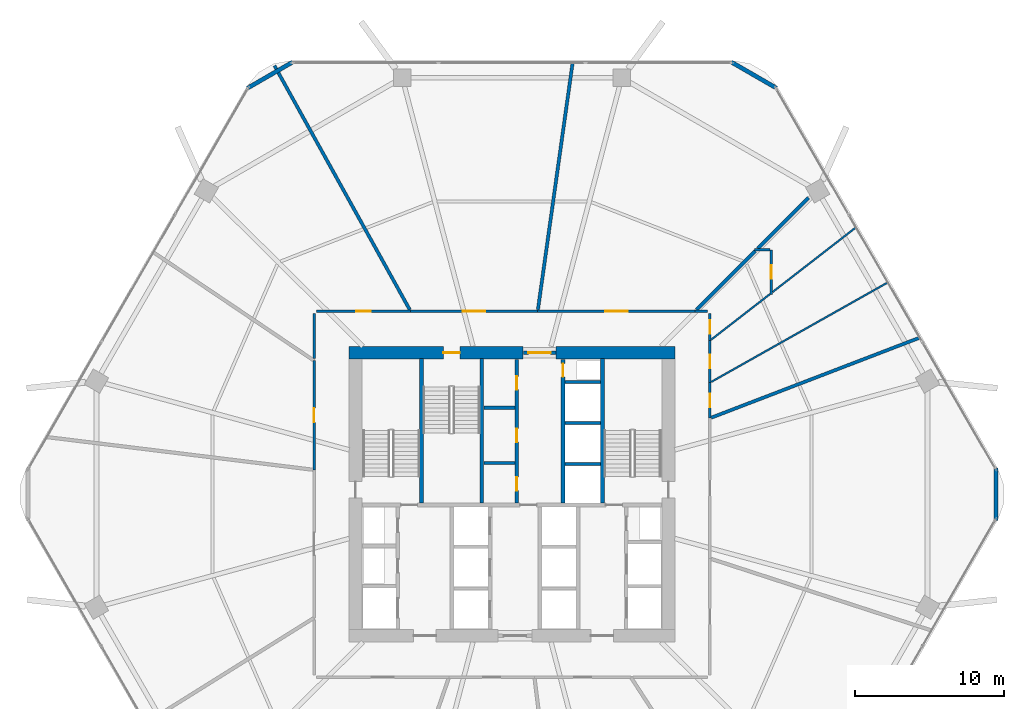
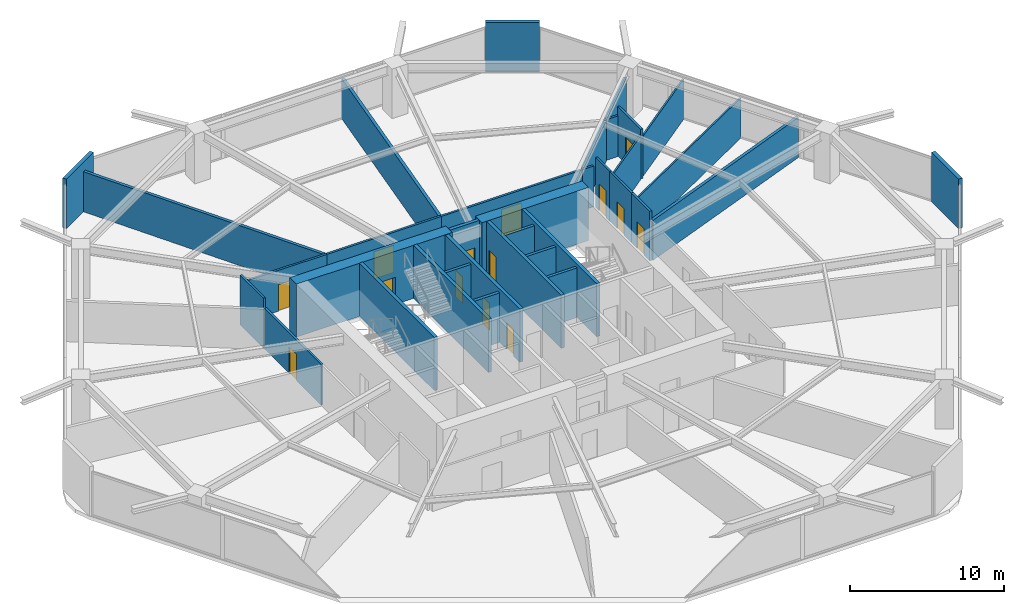
# One storey, part 23 of 25: 35 walls, 14 doors, 14 openings.
"""IFC4 building model written with IfcOpenShell, lengths in metres."""

from ifc_helpers import new_model, si_unit, direction, frame, frame_2d, origin, place, context, subcontext, project, spatial, rectangle, extrude, material, layer, layer_set, type_object, element, fill, save


model = new_model("IFC4")

# Units and contexts
model_context = context("Model", 3, precision=1e-05, world=origin(), true_north=direction((0.0, 1.0)))
body_context = subcontext(model_context, "Body", "Model", "MODEL_VIEW")
ifc_project = project(units=[si_unit("LENGTHUNIT", "METRE"), si_unit("AREAUNIT", "SQUARE_METRE"), si_unit("VOLUMEUNIT", "CUBIC_METRE"), si_unit("PLANEANGLEUNIT", "RADIAN"), si_unit("MASSUNIT", "GRAM", prefix="KILO")], contexts=[model_context])

# Site, building, storey
site_placement = place(None, origin())
site = spatial("IfcSite", under=ifc_project, at=site_placement, CompositionType="ELEMENT")
building_placement = place(site_placement, origin())
building = spatial("IfcBuilding", under=site, at=building_placement, Name="Zuhravey Tower", CompositionType="ELEMENT")
storey_placement = place(building_placement, frame((0.0, 0.0, 20.39990234375)))
storey = spatial("IfcBuildingStorey", under=building, at=storey_placement, Name="L05", CompositionType="ELEMENT", Elevation=20.39990234375)

# Wall
ifc_material_1 = material(Name="Concrete C60/75", Category="concrete")
ifc_layer_1 = layer(ifc_material_1, 0.85009765625)
ifc_layer_set_1 = layer_set([ifc_layer_1], Name="Concrete C60/75")
wall_type_1 = type_object("IfcWallType", Name="Core Shear Wall 850", PredefinedType="SHEAR", material=ifc_layer_set_1)
wall_1_placement = place(storey_placement, frame((46.925048828125, 41.5, 0.0), z_axis=(0.0, 0.0, 1.0), x_axis=(-1.0, 0.0, 0.0)))
element("IfcWall", 1, at=wall_1_placement, inside=storey, type_object=wall_type_1, Name="L05 North-East Core Shear Wall CW85", PredefinedType="SHEAR", context=body_context, shape_type="SweptSolid", body=[
    extrude(rectangle(XDim=7.97509765625, YDim=0.85009765625, at=frame_2d((3.987548828125, 0.0))), origin(), (0.0, 0.0, 1.0), 4.2001953125),
])

# Wall, opening, door
wall_2_placement = place(storey_placement, frame((36.75, 41.5, 0.0), z_axis=(0.0, 0.0, 1.0), x_axis=(-1.0, 0.0, 0.0)))
wall_2 = element("IfcWall", 2, at=wall_2_placement, inside=storey, type_object=wall_type_1, Name="L05 North-West Core Shear Wall CW85", PredefinedType="SHEAR", context=body_context, shape_type="SweptSolid", body=[
    extrude(rectangle(XDim=11.675048828125, YDim=0.85009765625, at=frame_2d((5.83740234375, 0.0))), origin(), (0.0, 0.0, 1.0), 4.2001953125),
])
opening_1_placement = place(wall_2_placement, frame((4.25, 0.0, 0.0)))
opening_1 = element("IfcOpeningElement", 3, at=opening_1_placement, cuts=wall_2, Name="Opening STD1", PredefinedType="OPENING", context=body_context, shape_type="SweptSolid", body=[
    extrude(rectangle(XDim=1.10009765625, YDim=2.14990234375, at=frame_2d((0.550048828125, 1.074951171875))), frame((0.0, 0.43701171875, 0.0), z_axis=(0.0, -1.0, 0.0), x_axis=(1.0, 0.0, 0.0)), (0.0, 0.0, 1.0), 0.8740234375),
])
ifc_material_2 = material(Name="Galvanised fire-rated steel leaf", Category="steel")
door_type_1 = type_object("IfcDoorType", Name="Protected Stair Fire Door 1100x2150", OperationType="NOTDEFINED", PredefinedType="USERDEFINED", material=ifc_material_2)
door_1_placement = place(opening_1_placement, origin())
door_1 = element("IfcDoor", 4, at=door_1_placement, inside=storey, type_object=door_type_1, Name="L05 Stair ST3 Door", ObjectType="EXITDOOR", OperationType="SINGLE_SWING_RIGHT", OverallHeight=2.14990234375, OverallWidth=1.10009765625, PredefinedType="USERDEFINED", context=body_context, shape_type="SweptSolid", body=[
    extrude(rectangle(XDim=1.10009765625, YDim=2.14990234375, at=frame_2d((0.550048828125, 1.074951171875))), frame((0.0, 0.02490234375, 0.0), z_axis=(0.0, -1.0, 0.0), x_axis=(1.0, 0.0, 0.0)), (0.0, 0.0, 1.0), 0.050048828125),
])
fill(opening_1, door_1)

ifc_material_3 = material(Name="Gypsum fire-rated stud partition")
ifc_layer_2 = layer(ifc_material_3, 0.159912109375)
ifc_layer_set_2 = layer_set([ifc_layer_2], Name="Gypsum fire-rated stud partition")
wall_type_2 = type_object("IfcWallType", Name="Corridor Fire Partition 160", PredefinedType="PARTITIONING", material=ifc_layer_set_2)
wall_3_placement = place(storey_placement, frame((49.284912109375, 37.099609375, 0.0), z_axis=(0.0, 0.0, 1.0), x_axis=(0.0, 1.0, 0.0)))
wall_3 = element("IfcWall", 5, at=wall_3_placement, inside=storey, type_object=wall_type_2, Name="L05 IW16 Partition 019", PredefinedType="PARTITIONING", context=body_context, shape_type="SweptSolid", body=[
    extrude(rectangle(XDim=2.385986328125, YDim=0.159912109375, at=frame_2d((1.19287109375, 0.0))), origin(), (0.0, 0.0, 1.0), 3.920166015625),
])
opening_2_placement = place(wall_3_placement, frame((0.742919921875, 0.0, 0.0)))
opening_2 = element("IfcOpeningElement", 6, at=opening_2_placement, cuts=wall_3, Name="Opening RSD1", PredefinedType="OPENING", context=body_context, shape_type="SweptSolid", body=[
    extrude(rectangle(XDim=0.89990234375, YDim=2.10009765625, at=frame_2d((0.449951171875, 1.050048828125))), frame((0.0, 0.092041015625, 0.0), z_axis=(0.0, -1.0, 0.0), x_axis=(1.0, 0.0, 0.0)), (0.0, 0.0, 1.0), 0.183837890625),
])
ifc_material_4 = material(Name="Galvanised fire-rated steel access leaf", Category="steel")
door_type_2 = type_object("IfcDoorType", Name="Riser & Shaft Access Fire Door 900x2100", OperationType="NOTDEFINED", PredefinedType="DOOR", material=ifc_material_4)
door_2_placement = place(opening_2_placement, frame((0.89990234375, 0.0, 0.0), z_axis=(0.0, 0.0, 1.0), x_axis=(-1.0, 0.0, 0.0)))
door_2 = element("IfcDoor", 7, at=door_2_placement, inside=storey, type_object=door_type_2, Name="L05 Door 019.1", OperationType="SINGLE_SWING_LEFT", OverallHeight=2.10009765625, OverallWidth=0.89990234375, PredefinedType="DOOR", context=body_context, shape_type="SweptSolid", body=[
    extrude(rectangle(XDim=0.89990234375, YDim=2.10009765625, at=frame_2d((0.449951171875, 1.050048828125))), frame((0.0, 0.02490234375, 0.0), z_axis=(0.0, -1.0, 0.0), x_axis=(1.0, 0.0, 0.0)), (0.0, 0.0, 1.0), 0.050048828125),
])
fill(opening_2, door_2)

wall_4_placement = place(storey_placement, frame((49.284912109375, 39.485595703125, 0.0), z_axis=(0.0, 0.0, 1.0), x_axis=(0.0, 1.0, 0.0)))
wall_4 = element("IfcWall", 8, at=wall_4_placement, inside=storey, type_object=wall_type_2, Name="L05 IW16 Partition 020", PredefinedType="PARTITIONING", context=body_context, shape_type="SweptSolid", body=[
    extrude(rectangle(XDim=2.8193359375, YDim=0.159912109375, at=frame_2d((1.40966796875, 0.0))), origin(), (0.0, 0.0, 1.0), 3.920166015625),
])
opening_3_placement = place(wall_4_placement, frame((0.959716796875, 0.0, 0.0)))
opening_3 = element("IfcOpeningElement", 9, at=opening_3_placement, cuts=wall_4, Name="Opening RSD1", PredefinedType="OPENING", context=body_context, shape_type="SweptSolid", body=[
    extrude(rectangle(XDim=0.89990234375, YDim=2.10009765625, at=frame_2d((0.449951171875, 1.050048828125))), frame((0.0, 0.092041015625, 0.0), z_axis=(0.0, -1.0, 0.0), x_axis=(1.0, 0.0, 0.0)), (0.0, 0.0, 1.0), 0.183837890625),
])
door_3_placement = place(opening_3_placement, frame((0.89990234375, 0.0, 0.0), z_axis=(0.0, 0.0, 1.0), x_axis=(-1.0, 0.0, 0.0)))
door_3 = element("IfcDoor", 10, at=door_3_placement, inside=storey, type_object=door_type_2, Name="L05 Door 020.1", OperationType="SINGLE_SWING_RIGHT", OverallHeight=2.10009765625, OverallWidth=0.89990234375, PredefinedType="DOOR", context=body_context, shape_type="SweptSolid", body=[
    extrude(rectangle(XDim=0.89990234375, YDim=2.10009765625, at=frame_2d((0.449951171875, 1.050048828125))), frame((0.0, 0.02490234375, 0.0), z_axis=(0.0, -1.0, 0.0), x_axis=(1.0, 0.0, 0.0)), (0.0, 0.0, 1.0), 0.050048828125),
])
fill(opening_3, door_3)

wall_5_placement = place(storey_placement, frame((53.405029296875, 48.405029296875, 0.0), z_axis=(0.0, 0.0, 1.0), x_axis=(0.0, -1.0, 0.0)))
wall_5 = element("IfcWall", 11, at=wall_5_placement, inside=storey, type_object=wall_type_2, Name="L05 IW16 Partition 021", PredefinedType="PARTITIONING", context=body_context, shape_type="SweptSolid", body=[
    extrude(rectangle(XDim=3.005615234375, YDim=0.159912109375, at=frame_2d((1.5029296875, 0.0))), origin(), (0.0, 0.0, 1.0), 3.920166015625),
])
opening_4_placement = place(wall_5_placement, frame((1.052734375, 0.0, 0.0)))
opening_4 = element("IfcOpeningElement", 12, at=opening_4_placement, cuts=wall_5, Name="Opening RSD1", PredefinedType="OPENING", context=body_context, shape_type="SweptSolid", body=[
    extrude(rectangle(XDim=0.89990234375, YDim=2.10009765625, at=frame_2d((0.449951171875, 1.050048828125))), frame((0.0, 0.092041015625, 0.0), z_axis=(0.0, -1.0, 0.0), x_axis=(1.0, 0.0, 0.0)), (0.0, 0.0, 1.0), 0.183837890625),
])
door_4_placement = place(opening_4_placement, origin())
door_4 = element("IfcDoor", 13, at=door_4_placement, inside=storey, type_object=door_type_2, Name="L05 Door 021.1", OperationType="SINGLE_SWING_LEFT", OverallHeight=2.10009765625, OverallWidth=0.89990234375, PredefinedType="DOOR", context=body_context, shape_type="SweptSolid", body=[
    extrude(rectangle(XDim=0.89990234375, YDim=2.10009765625, at=frame_2d((0.449951171875, 1.050048828125))), frame((0.0, 0.02490234375, 0.0), z_axis=(0.0, -1.0, 0.0), x_axis=(1.0, 0.0, 0.0)), (0.0, 0.0, 1.0), 0.050048828125),
])
fill(opening_4, door_4)

wall_6_placement = place(storey_placement, frame((49.284912109375, 42.304931640625, 0.0), z_axis=(0.0, 0.0, 1.0), x_axis=(0.0, 1.0, 0.0)))
wall_6 = element("IfcWall", 14, at=wall_6_placement, inside=storey, type_object=wall_type_2, Name="L05 IW16 Partition 022", PredefinedType="PARTITIONING", context=body_context, shape_type="SweptSolid", body=[
    extrude(rectangle(XDim=1.820068359375, YDim=0.159912109375, at=frame_2d((0.91015625, 0.0))), origin(), (0.0, 0.0, 1.0), 3.920166015625),
])
opening_5_placement = place(wall_6_placement, frame((0.4599609375, 0.0, 0.0)))
opening_5 = element("IfcOpeningElement", 15, at=opening_5_placement, cuts=wall_6, Name="Opening RSD1", PredefinedType="OPENING", context=body_context, shape_type="SweptSolid", body=[
    extrude(rectangle(XDim=0.89990234375, YDim=2.10009765625, at=frame_2d((0.449951171875, 1.050048828125))), frame((0.0, 0.092041015625, 0.0), z_axis=(0.0, -1.0, 0.0), x_axis=(1.0, 0.0, 0.0)), (0.0, 0.0, 1.0), 0.183837890625),
])
door_5_placement = place(opening_5_placement, frame((0.89990234375, 0.0, 0.0), z_axis=(0.0, 0.0, 1.0), x_axis=(-1.0, 0.0, 0.0)))
door_5 = element("IfcDoor", 16, at=door_5_placement, inside=storey, type_object=door_type_2, Name="L05 Door 022.1", OperationType="SINGLE_SWING_RIGHT", OverallHeight=2.10009765625, OverallWidth=0.89990234375, PredefinedType="DOOR", context=body_context, shape_type="SweptSolid", body=[
    extrude(rectangle(XDim=0.89990234375, YDim=2.10009765625, at=frame_2d((0.449951171875, 1.050048828125))), frame((0.0, 0.02490234375, 0.0), z_axis=(0.0, -1.0, 0.0), x_axis=(1.0, 0.0, 0.0)), (0.0, 0.0, 1.0), 0.050048828125),
])
fill(opening_5, door_5)

wall_7_placement = place(storey_placement, frame((48.284912109375, 44.284912109375, 0.0), z_axis=(0.0, 0.0, 1.0), x_axis=(-1.0, 0.0, 0.0)))
wall_7 = element("IfcWall", 17, at=wall_7_placement, inside=storey, type_object=wall_type_2, Name="L05 IW16 Partition 023", PredefinedType="PARTITIONING", context=body_context, shape_type="SweptSolid", body=[
    extrude(rectangle(XDim=10.558349609375, YDim=0.159912109375, at=frame_2d((5.279296875, 0.0))), origin(), (0.0, 0.0, 1.0), 3.22021484375),
])
opening_6_placement = place(wall_7_placement, frame((4.529296875, 0.0, 0.0)))
opening_6 = element("IfcOpeningElement", 18, at=opening_6_placement, cuts=wall_7, Name="Opening FFD1", PredefinedType="OPENING", context=body_context, shape_type="SweptSolid", body=[
    extrude(rectangle(XDim=1.5, YDim=2.14990234375, at=frame_2d((0.75, 1.074951171875))), frame((0.0, 0.092041015625, 0.0), z_axis=(0.0, -1.0, 0.0), x_axis=(1.0, 0.0, 0.0)), (0.0, 0.0, 1.0), 0.183837890625),
])
door_type_3 = type_object("IfcDoorType", Name="Firefighting Lobby Double Door 1500x2150", OperationType="DOUBLE_DOOR_SINGLE_SWING", PredefinedType="DOOR", material=ifc_material_2)
door_6_placement = place(opening_6_placement, frame((1.5, 0.0, 0.0), z_axis=(0.0, 0.0, 1.0), x_axis=(-1.0, 0.0, 0.0)))
door_6 = element("IfcDoor", 19, at=door_6_placement, inside=storey, type_object=door_type_3, Name="L05 Door 023.1", OperationType="DOUBLE_DOOR_SINGLE_SWING", OverallHeight=2.14990234375, OverallWidth=1.5, PredefinedType="DOOR", context=body_context, shape_type="SweptSolid", body=[
    extrude(rectangle(XDim=1.5, YDim=2.14990234375, at=frame_2d((0.75, 1.074951171875))), frame((0.0, 0.02490234375, 0.0), z_axis=(0.0, -1.0, 0.0), x_axis=(1.0, 0.0, 0.0)), (0.0, 0.0, 1.0), 0.050048828125),
])
fill(opening_6, door_6)

wall_8_placement = place(storey_placement, frame((37.7265625, 44.284912109375, 0.0), z_axis=(0.0, 0.0, 1.0), x_axis=(-1.0, 0.0, 0.0)))
wall_8 = element("IfcWall", 20, at=wall_8_placement, inside=storey, type_object=wall_type_2, Name="L05 IW16 Partition 024", PredefinedType="PARTITIONING", context=body_context, shape_type="SweptSolid", body=[
    extrude(rectangle(XDim=8.536376953125, YDim=0.159912109375, at=frame_2d((4.26806640625, 0.0))), origin(), (0.0, 0.0, 1.0), 3.22021484375),
])
opening_7_placement = place(wall_8_placement, frame((3.51806640625, 0.0, 0.0)))
opening_7 = element("IfcOpeningElement", 21, at=opening_7_placement, cuts=wall_8, Name="Opening FFD1", PredefinedType="OPENING", context=body_context, shape_type="SweptSolid", body=[
    extrude(rectangle(XDim=1.5, YDim=2.14990234375, at=frame_2d((0.75, 1.074951171875))), frame((0.0, 0.092041015625, 0.0), z_axis=(0.0, -1.0, 0.0), x_axis=(1.0, 0.0, 0.0)), (0.0, 0.0, 1.0), 0.183837890625),
])
door_7_placement = place(opening_7_placement, frame((1.5, 0.0, 0.0), z_axis=(0.0, 0.0, 1.0), x_axis=(-1.0, 0.0, 0.0)))
door_7 = element("IfcDoor", 22, at=door_7_placement, inside=storey, type_object=door_type_3, Name="L05 Door 024.1", OperationType="DOUBLE_DOOR_SINGLE_SWING", OverallHeight=2.14990234375, OverallWidth=1.5, PredefinedType="DOOR", context=body_context, shape_type="SweptSolid", body=[
    extrude(rectangle(XDim=1.5, YDim=2.14990234375, at=frame_2d((0.75, 1.074951171875))), frame((0.0, 0.02490234375, 0.0), z_axis=(0.0, -1.0, 0.0), x_axis=(1.0, 0.0, 0.0)), (0.0, 0.0, 1.0), 0.050048828125),
])
fill(opening_7, door_7)

wall_9_placement = place(storey_placement, frame((29.190185546875, 44.284912109375, 0.0), z_axis=(0.0, 0.0, 1.0), x_axis=(-1.0, 0.0, 0.0)))
wall_9 = element("IfcWall", 23, at=wall_9_placement, inside=storey, type_object=wall_type_2, Name="L05 IW16 Partition 025", PredefinedType="PARTITIONING", context=body_context, shape_type="SweptSolid", body=[
    extrude(rectangle(XDim=6.315185546875, YDim=0.159912109375, at=frame_2d((3.15771484375, 0.0))), origin(), (0.0, 0.0, 1.0), 3.22021484375),
])
opening_8_placement = place(wall_9_placement, frame((2.6826171875, 0.0, 0.0)))
opening_8 = element("IfcOpeningElement", 24, at=opening_8_placement, cuts=wall_9, Name="Opening IND1", PredefinedType="OPENING", context=body_context, shape_type="SweptSolid", body=[
    extrude(rectangle(XDim=0.949951171875, YDim=2.10009765625, at=frame_2d((0.47509765625, 1.050048828125))), frame((0.0, 0.092041015625, 0.0), z_axis=(0.0, -1.0, 0.0), x_axis=(1.0, 0.0, 0.0)), (0.0, 0.0, 1.0), 0.183837890625),
])
ifc_material_5 = material(Name="Painted engineered timber leaf", Category="wood")
door_type_4 = type_object("IfcDoorType", Name="Internal Room & Bedroom Door 950x2100", OperationType="NOTDEFINED", PredefinedType="DOOR", material=ifc_material_5)
door_8_placement = place(opening_8_placement, frame((0.949951171875, 0.0, 0.0), z_axis=(0.0, 0.0, 1.0), x_axis=(-1.0, 0.0, 0.0)))
door_8 = element("IfcDoor", 25, at=door_8_placement, inside=storey, type_object=door_type_4, Name="L05 Door 025.1", OperationType="SINGLE_SWING_LEFT", OverallHeight=2.10009765625, OverallWidth=0.949951171875, PredefinedType="DOOR", context=body_context, shape_type="SweptSolid", body=[
    extrude(rectangle(XDim=0.949951171875, YDim=2.10009765625, at=frame_2d((0.47509765625, 1.050048828125))), frame((0.0, 0.02490234375, 0.0), z_axis=(0.0, -1.0, 0.0), x_axis=(1.0, 0.0, 0.0)), (0.0, 0.0, 1.0), 0.050048828125),
])
fill(opening_8, door_8)

wall_10_placement = place(storey_placement, frame((22.715087890625, 40.960693359375, 0.0), z_axis=(0.0, 0.0, 1.0), x_axis=(0.0, -1.0, 0.0)))
wall_10 = element("IfcWall", 26, at=wall_10_placement, inside=storey, type_object=wall_type_2, Name="L05 IW16 Partition 026", PredefinedType="PARTITIONING", context=body_context, shape_type="SweptSolid", body=[
    extrude(rectangle(XDim=7.32958984375, YDim=0.159912109375, at=frame_2d((3.664794921875, 0.0))), origin(), (0.0, 0.0, 1.0), 3.22021484375),
])
opening_9_placement = place(wall_10_placement, frame((3.189697265625, 0.0, 0.0)))
opening_9 = element("IfcOpeningElement", 27, at=opening_9_placement, cuts=wall_10, Name="Opening IND1", PredefinedType="OPENING", context=body_context, shape_type="SweptSolid", body=[
    extrude(rectangle(XDim=0.949951171875, YDim=2.10009765625, at=frame_2d((0.47509765625, 1.050048828125))), frame((0.0, 0.092041015625, 0.0), z_axis=(0.0, -1.0, 0.0), x_axis=(1.0, 0.0, 0.0)), (0.0, 0.0, 1.0), 0.183837890625),
])
door_9_placement = place(opening_9_placement, frame((0.949951171875, 0.0, 0.0), z_axis=(0.0, 0.0, 1.0), x_axis=(-1.0, 0.0, 0.0)))
door_9 = element("IfcDoor", 28, at=door_9_placement, inside=storey, type_object=door_type_4, Name="L05 Door 026.1", OperationType="SINGLE_SWING_RIGHT", OverallHeight=2.10009765625, OverallWidth=0.949951171875, PredefinedType="DOOR", context=body_context, shape_type="SweptSolid", body=[
    extrude(rectangle(XDim=0.949951171875, YDim=2.10009765625, at=frame_2d((0.47509765625, 1.050048828125))), frame((0.0, 0.02490234375, 0.0), z_axis=(0.0, -1.0, 0.0), x_axis=(1.0, 0.0, 0.0)), (0.0, 0.0, 1.0), 0.050048828125),
])
fill(opening_9, door_9)

# Walls
wall_11_placement = place(storey_placement, frame((52.2919921875, 48.405029296875, 0.0), z_axis=(0.0, 0.0, 1.0), x_axis=(1.0, 0.0, 0.0)))
element("IfcWall", 29, at=wall_11_placement, inside=storey, type_object=wall_type_2, Name="L05 IW16 Partition 046", PredefinedType="PARTITIONING", context=body_context, shape_type="SweptSolid", body=[
    extrude(rectangle(XDim=1.02490234375, YDim=0.159912109375, at=frame_2d((0.512451171875, 0.0))), origin(), (0.0, 0.0, 1.0), 3.22021484375),
])
wall_12_placement = place(storey_placement, frame((49.125, 44.284912109375, 0.0), z_axis=(0.0, 0.0, 1.0), x_axis=(-1.0, 0.0, 0.0)))
element("IfcWall", 30, at=wall_12_placement, inside=storey, type_object=wall_type_2, Name="L05 IW16 Partition 047", PredefinedType="PARTITIONING", context=body_context, shape_type="SweptSolid", body=[
    extrude(rectangle(XDim=0.840087890625, YDim=0.159912109375, at=frame_2d((0.419921875, 0.0))), origin(), (0.0, 0.0, 1.0), 3.22021484375),
])
wall_13_placement = place(storey_placement, frame((22.715087890625, 44.125, 0.0), z_axis=(0.0, 0.0, 1.0), x_axis=(0.0, -1.0, 0.0)))
element("IfcWall", 31, at=wall_13_placement, inside=storey, type_object=wall_type_2, Name="L05 IW16 Partition 053", PredefinedType="PARTITIONING", context=body_context, shape_type="SweptSolid", body=[
    extrude(rectangle(XDim=3.021728515625, YDim=0.159912109375, at=frame_2d((1.5107421875, 0.0))), origin(), (0.0, 0.0, 1.0), 3.920166015625),
])
ifc_material_6 = material(Name="Precast concrete C40/50", Category="concrete")
ifc_layer_3 = layer(ifc_material_6, 0.280029296875)
ifc_layer_set_3 = layer_set([ifc_layer_3], Name="Precast concrete C40/50")
wall_type_3 = type_object("IfcWallType", Name="Crown Architectural Wall 280", PredefinedType="SOLIDWALL", material=ifc_layer_set_3)
for number, where, z_axis, x_axis, name in (
    (32, (18.23876953125, 59.24853515625, 0.0), (0.0, 0.0, 1.0), (0.866007452331, 0.500031091541, 0.0), "L05 Rounded Corner Closure Wall EW28-08"),
    (33, (50.71728515625, 61.006103515625, 0.0), (0.0, 0.0, 1.0), (0.866007452331, -0.500031091541, 0.0), "L05 Rounded Corner Closure Wall EW28-10"),
):
    element("IfcWall", number, at=place(storey_placement, frame(where, z_axis=z_axis, x_axis=x_axis)), inside=storey, type_object=wall_type_3, Name=name, PredefinedType="SOLIDWALL", context=body_context, shape_type="SweptSolid", body=[
        extrude(rectangle(XDim=3.514892578125, YDim=0.280029296875, at=frame_2d((1.75732421875, 0.0))), origin(), (0.0, 0.0, 1.0), 3.920166015625),
    ])
wall_14_placement = place(storey_placement, frame((68.478515625, 33.757568359375, 0.0), z_axis=(0.0, 0.0, 1.0), x_axis=(0.0, -1.0, 0.0)))
element("IfcWall", 34, at=wall_14_placement, inside=storey, type_object=wall_type_3, Name="L05 Rounded Corner Closure Wall EW28-12", PredefinedType="SOLIDWALL", context=body_context, shape_type="SweptSolid", body=[
    extrude(rectangle(XDim=3.51513671875, YDim=0.280029296875, at=frame_2d((1.757568359375, 0.0))), origin(), (0.0, 0.0, 1.0), 3.920166015625),
])

# Wall, opening, door
ifc_material_7 = material(Name="Concrete C50/60", Category="concrete")
ifc_layer_4 = layer(ifc_material_7, 0.25)
ifc_layer_set_4 = layer_set([ifc_layer_4], Name="Concrete C50/60")
wall_type_4 = type_object("IfcWallType", Name="Firefighting Shaft & Stair Wall 250", PredefinedType="SOLIDWALL", material=ifc_layer_set_4)
wall_15_placement = place(storey_placement, frame((36.760009765625, 41.5, 0.0), z_axis=(0.0, 0.0, 1.0), x_axis=(1.0, 0.0, 0.0)))
wall_15 = element("IfcWall", 35, at=wall_15_placement, inside=storey, type_object=wall_type_4, Name="L05 FW25 Shaft Wall 002", PredefinedType="SOLIDWALL", context=body_context, shape_type="SweptSolid", body=[
    extrude(rectangle(XDim=2.179931640625, YDim=0.25, at=frame_2d((1.08984375, 0.0))), origin(), (0.0, 0.0, 1.0), 4.2001953125),
])
opening_10_placement = place(wall_15_placement, frame((0.340087890625, 0.0, 0.0)))
opening_10 = element("IfcOpeningElement", 36, at=opening_10_placement, cuts=wall_15, Name="Opening FFD1", PredefinedType="OPENING", context=body_context, shape_type="SweptSolid", body=[
    extrude(rectangle(XDim=1.5, YDim=2.14990234375, at=frame_2d((0.75, 1.074951171875))), frame((0.0, 0.136962890625, 0.0), z_axis=(0.0, -1.0, 0.0), x_axis=(1.0, 0.0, 0.0)), (0.0, 0.0, 1.0), 0.27392578125),
])
door_10_placement = place(opening_10_placement, origin())
door_10 = element("IfcDoor", 37, at=door_10_placement, inside=storey, type_object=door_type_3, Name="L05 North Lift Lobby Exit Door", OperationType="DOUBLE_DOOR_SINGLE_SWING", OverallHeight=2.14990234375, OverallWidth=1.5, PredefinedType="DOOR", context=body_context, shape_type="SweptSolid", body=[
    extrude(rectangle(XDim=1.5, YDim=2.14990234375, at=frame_2d((0.75, 1.074951171875))), frame((0.0, 0.02490234375, 0.0), z_axis=(0.0, -1.0, 0.0), x_axis=(1.0, 0.0, 0.0)), (0.0, 0.0, 1.0), 0.050048828125),
])
fill(opening_10, door_10)

# Walls
for number, where, z_axis, x_axis, name in (
    (38, (29.925048828125, 31.39990234375, 0.0), (0.0, 0.0, 1.0), (0.0, 1.0, 0.0), "L05 FW25 Shaft Wall 004"),
    (39, (33.97509765625, 31.39990234375, 0.0), (0.0, 0.0, 1.0), (0.0, 1.0, 0.0), "L05 FW25 Shaft Wall 005"),
    (40, (42.074951171875, 31.39990234375, 0.0), (0.0, 0.0, 1.0), (0.0, 1.0, 0.0), "L05 FW25 Shaft Wall 006"),
):
    element("IfcWall", number, at=place(storey_placement, frame(where, z_axis=z_axis, x_axis=x_axis)), inside=storey, type_object=wall_type_4, Name=name, PredefinedType="SOLIDWALL", context=body_context, shape_type="SweptSolid", body=[
        extrude(rectangle(XDim=9.7001953125, YDim=0.25, at=frame_2d((4.85009765625, 0.0))), origin(), (0.0, 0.0, 1.0), 4.2001953125),
    ])

# Wall, openings, doors
wall_16_placement = place(storey_placement, frame((36.324951171875, 31.39990234375, 0.0), z_axis=(0.0, 0.0, 1.0), x_axis=(0.0, 1.0, 0.0)))
wall_16 = element("IfcWall", 41, at=wall_16_placement, inside=storey, type_object=wall_type_4, Name="L05 FW25 Shaft Wall 007", PredefinedType="SOLIDWALL", context=body_context, shape_type="SweptSolid", body=[
    extrude(rectangle(XDim=9.650146484375, YDim=0.25, at=frame_2d((4.8251953125, 0.0))), origin(), (0.0, 0.0, 1.0), 4.2001953125),
])
opening_11_placement = place(wall_16_placement, frame((0.840087890625, 0.0, 0.0)))
opening_11 = element("IfcOpeningElement", 42, at=opening_11_placement, cuts=wall_16, Name="Opening RSD1", PredefinedType="OPENING", context=body_context, shape_type="SweptSolid", body=[
    extrude(rectangle(XDim=0.89990234375, YDim=2.10009765625, at=frame_2d((0.449951171875, 1.050048828125))), frame((0.0, 0.136962890625, 0.0), z_axis=(0.0, -1.0, 0.0), x_axis=(1.0, 0.0, 0.0)), (0.0, 0.0, 1.0), 0.27392578125),
])
opening_12_placement = place(wall_16_placement, frame((4.10009765625, 0.0, 0.0)))
opening_12 = element("IfcOpeningElement", 43, at=opening_12_placement, cuts=wall_16, Name="Opening RSD1", PredefinedType="OPENING", context=body_context, shape_type="SweptSolid", body=[
    extrude(rectangle(XDim=0.89990234375, YDim=2.10009765625, at=frame_2d((0.449951171875, 1.050048828125))), frame((0.0, 0.136962890625, 0.0), z_axis=(0.0, -1.0, 0.0), x_axis=(1.0, 0.0, 0.0)), (0.0, 0.0, 1.0), 0.27392578125),
])
opening_13_placement = place(wall_16_placement, frame((7.610107421875, 0.0, 0.0)))
opening_13 = element("IfcOpeningElement", 44, at=opening_13_placement, cuts=wall_16, Name="Opening RSD1", PredefinedType="OPENING", context=body_context, shape_type="SweptSolid", body=[
    extrude(rectangle(XDim=0.89990234375, YDim=2.10009765625, at=frame_2d((0.449951171875, 1.050048828125))), frame((0.0, 0.136962890625, 0.0), z_axis=(0.0, -1.0, 0.0), x_axis=(1.0, 0.0, 0.0)), (0.0, 0.0, 1.0), 0.27392578125),
])
door_11_placement = place(opening_11_placement, origin())
door_11 = element("IfcDoor", 45, at=door_11_placement, inside=storey, type_object=door_type_2, Name="L05 Core Staff WC Door", OperationType="SINGLE_SWING_RIGHT", OverallHeight=2.10009765625, OverallWidth=0.89990234375, PredefinedType="DOOR", context=body_context, shape_type="SweptSolid", body=[
    extrude(rectangle(XDim=0.89990234375, YDim=2.10009765625, at=frame_2d((0.449951171875, 1.050048828125))), frame((0.0, 0.02490234375, 0.0), z_axis=(0.0, -1.0, 0.0), x_axis=(1.0, 0.0, 0.0)), (0.0, 0.0, 1.0), 0.050048828125),
])
fill(opening_11, door_11)
door_12_placement = place(opening_12_placement, origin())
door_12 = element("IfcDoor", 46, at=door_12_placement, inside=storey, type_object=door_type_2, Name="L05 IT and Comms Room Door", OperationType="SINGLE_SWING_LEFT", OverallHeight=2.10009765625, OverallWidth=0.89990234375, PredefinedType="DOOR", context=body_context, shape_type="SweptSolid", body=[
    extrude(rectangle(XDim=0.89990234375, YDim=2.10009765625, at=frame_2d((0.449951171875, 1.050048828125))), frame((0.0, 0.02490234375, 0.0), z_axis=(0.0, -1.0, 0.0), x_axis=(1.0, 0.0, 0.0)), (0.0, 0.0, 1.0), 0.050048828125),
])
fill(opening_12, door_12)
door_13_placement = place(opening_13_placement, origin())
door_13 = element("IfcDoor", 47, at=door_13_placement, inside=storey, type_object=door_type_2, Name="L05 Janitor Linen Store Door", OperationType="SINGLE_SWING_RIGHT", OverallHeight=2.10009765625, OverallWidth=0.89990234375, PredefinedType="DOOR", context=body_context, shape_type="SweptSolid", body=[
    extrude(rectangle(XDim=0.89990234375, YDim=2.10009765625, at=frame_2d((0.449951171875, 1.050048828125))), frame((0.0, 0.02490234375, 0.0), z_axis=(0.0, -1.0, 0.0), x_axis=(1.0, 0.0, 0.0)), (0.0, 0.0, 1.0), 0.050048828125),
])
fill(opening_13, door_13)

# Wall, opening, door
wall_17_placement = place(storey_placement, frame((39.425048828125, 31.39990234375, 0.0), z_axis=(0.0, 0.0, 1.0), x_axis=(0.0, 1.0, 0.0)))
wall_17 = element("IfcWall", 48, at=wall_17_placement, inside=storey, type_object=wall_type_4, Name="L05 FW25 Shaft Wall 008", PredefinedType="SOLIDWALL", context=body_context, shape_type="SweptSolid", body=[
    extrude(rectangle(XDim=9.650146484375, YDim=0.25, at=frame_2d((4.8251953125, 0.0))), origin(), (0.0, 0.0, 1.0), 4.2001953125),
])
opening_14_placement = place(wall_17_placement, frame((8.469970703125, 0.0, 0.0)))
opening_14 = element("IfcOpeningElement", 49, at=opening_14_placement, cuts=wall_17, Name="Opening RSD1", PredefinedType="OPENING", context=body_context, shape_type="SweptSolid", body=[
    extrude(rectangle(XDim=0.89990234375, YDim=2.10009765625, at=frame_2d((0.449951171875, 1.050048828125))), frame((0.0, 0.136962890625, 0.0), z_axis=(0.0, -1.0, 0.0), x_axis=(1.0, 0.0, 0.0)), (0.0, 0.0, 1.0), 0.27392578125),
])
door_14_placement = place(opening_14_placement, origin())
door_14 = element("IfcDoor", 50, at=door_14_placement, inside=storey, type_object=door_type_2, Name="L05 North Riser Door", OperationType="SINGLE_SWING_LEFT", OverallHeight=2.10009765625, OverallWidth=0.89990234375, PredefinedType="DOOR", context=body_context, shape_type="SweptSolid", body=[
    extrude(rectangle(XDim=0.89990234375, YDim=2.10009765625, at=frame_2d((0.449951171875, 1.050048828125))), frame((0.0, 0.02490234375, 0.0), z_axis=(0.0, -1.0, 0.0), x_axis=(1.0, 0.0, 0.0)), (0.0, 0.0, 1.0), 0.050048828125),
])
fill(opening_14, door_14)

# Walls
ifc_material_8 = material(Name="Gypsum acoustic stud assembly")
ifc_layer_5 = layer(ifc_material_8, 0.219970703125)
ifc_layer_set_5 = layer_set([ifc_layer_5], Name="Gypsum acoustic stud assembly")
wall_type_5 = type_object("IfcWallType", Name="School Acoustic Compartment Wall 220", PredefinedType="PARTITIONING", material=ifc_layer_set_5)
for number, where, z_axis, x_axis, name in (
    (51, (34.10791015625, 34.10009765625, 0.0), (0.0, 0.0, 1.0), (1.0, 0.0, 0.0), "L05 IW22 Partition 033"),
    (52, (34.10791015625, 37.800048828125, 0.0), (0.0, 0.0, 1.0), (1.0, 0.0, 0.0), "L05 IW22 Partition 034"),
):
    element("IfcWall", number, at=place(storey_placement, frame(where, z_axis=z_axis, x_axis=x_axis)), inside=storey, type_object=wall_type_5, Name=name, PredefinedType="PARTITIONING", context=body_context, shape_type="SweptSolid", body=[
        extrude(rectangle(XDim=2.083984375, YDim=0.219970703125, at=frame_2d((1.0419921875, 0.0))), origin(), (0.0, 0.0, 1.0), 3.920166015625),
    ])
for number, where, z_axis, x_axis, name in (
    (53, (39.55810546875, 34.02490234375, 0.0), (0.0, 0.0, 1.0), (1.0, 0.0, 0.0), "L05 IW22 Partition 035"),
    (54, (39.55810546875, 36.77490234375, 0.0), (0.0, 0.0, 1.0), (1.0, 0.0, 0.0), "L05 IW22 Partition 036"),
    (55, (39.55810546875, 39.52490234375, 0.0), (0.0, 0.0, 1.0), (1.0, 0.0, 0.0), "L05 IW22 Partition 037"),
):
    element("IfcWall", number, at=place(storey_placement, frame(where, z_axis=z_axis, x_axis=x_axis)), inside=storey, type_object=wall_type_5, Name=name, PredefinedType="PARTITIONING", context=body_context, shape_type="SweptSolid", body=[
        extrude(rectangle(XDim=2.3837890625, YDim=0.219970703125, at=frame_2d((1.19189453125, 0.0))), origin(), (0.0, 0.0, 1.0), 3.920166015625),
    ])
wall_18_placement = place(storey_placement, frame((49.373046875, 37.133544921875, 0.0), z_axis=(0.0, 0.0, 1.0), x_axis=(0.933584586871, 0.358357111214, 0.0)))
element("IfcWall", 56, at=wall_18_placement, inside=storey, type_object=wall_type_5, Name="L05 IW22 Partition 042", PredefinedType="PARTITIONING", context=body_context, shape_type="SweptSolid", body=[
    extrude(rectangle(XDim=14.994873046875, YDim=0.219970703125, at=frame_2d((7.49755859375, 0.0))), origin(), (0.0, 0.0, 1.0), 3.170166015625),
])
wall_19_placement = place(storey_placement, frame((48.373046875, 44.373046875, 0.0), z_axis=(0.0, 0.0, 1.0), x_axis=(0.707106781187, 0.707106781187, 0.0)))
element("IfcWall", 57, at=wall_19_placement, inside=storey, type_object=wall_type_5, Name="L05 IW22 Partition 048", PredefinedType="PARTITIONING", context=body_context, shape_type="SweptSolid", body=[
    extrude(rectangle(XDim=5.577392578125, YDim=0.219970703125, at=frame_2d((2.78857421875, 0.0))), origin(), (0.0, 0.0, 1.0), 3.22021484375),
])
wall_20_placement = place(storey_placement, frame((52.492919921875, 48.492919921875, 0.0), z_axis=(0.0, 0.0, 1.0), x_axis=(0.707106781187, 0.707106781187, 0.0)))
element("IfcWall", 58, at=wall_20_placement, inside=storey, type_object=wall_type_5, Name="L05 IW22 Partition 049", PredefinedType="PARTITIONING", context=body_context, shape_type="SweptSolid", body=[
    extrude(rectangle(XDim=4.81689453125, YDim=0.219970703125, at=frame_2d((2.408447265625, 0.0))), origin(), (0.0, 0.0, 1.0), 3.22021484375),
])
wall_21_placement = place(storey_placement, frame((37.739013671875, 44.373046875, 0.0), z_axis=(0.0, 0.0, 1.0), x_axis=(0.139165938444, 0.990269075341, 0.0)))
element("IfcWall", 59, at=wall_21_placement, inside=storey, type_object=wall_type_5, Name="L05 IW22 Partition 050", PredefinedType="PARTITIONING", context=body_context, shape_type="SweptSolid", body=[
    extrude(rectangle(XDim=16.74853515625, YDim=0.219970703125, at=frame_2d((8.374267578125, 0.0))), origin(), (0.0, 0.0, 1.0), 3.170166015625),
])
wall_22_placement = place(storey_placement, frame((29.1416015625, 44.373046875, 0.0), z_axis=(0.0, 0.0, 1.0), x_axis=(-0.484814111505, 0.874617217579, 0.0)))
element("IfcWall", 60, at=wall_22_placement, inside=storey, type_object=wall_type_5, Name="L05 IW22 Partition 051", PredefinedType="PARTITIONING", context=body_context, shape_type="SweptSolid", body=[
    extrude(rectangle(XDim=18.737548828125, YDim=0.219970703125, at=frame_2d((9.36865234375, 0.0))), origin(), (0.0, 0.0, 1.0), 3.170166015625),
])
ifc_material_9 = material(Name="Gypsum metal-stud partition")
ifc_layer_6 = layer(ifc_material_9, 0.1201171875)
ifc_layer_set_6 = layer_set([ifc_layer_6], Name="Gypsum metal-stud partition")
wall_type_6 = type_object("IfcWallType", Name="Unit Internal Partition 120", PredefinedType="PARTITIONING", material=ifc_layer_set_6)
wall_23_placement = place(storey_placement, frame((49.373046875, 39.535400390625, 0.0), z_axis=(0.0, 0.0, 1.0), x_axis=(0.871218886354, 0.490894746417, 0.0)))
element("IfcWall", 61, at=wall_23_placement, inside=storey, type_object=wall_type_6, Name="L05 IW12 Partition 043", PredefinedType="PARTITIONING", context=body_context, shape_type="SweptSolid", body=[
    extrude(rectangle(XDim=13.610107421875, YDim=0.1201171875, at=frame_2d((6.80517578125, 0.0))), origin(), (0.0, 0.0, 1.0), 3.170166015625),
])
wall_24_placement = place(storey_placement, frame((49.373046875, 42.373291015625, 0.0), z_axis=(0.0, 0.0, 1.0), x_axis=(0.790162754328, 0.612897072658, 0.0)))
element("IfcWall", 62, at=wall_24_placement, inside=storey, type_object=wall_type_6, Name="L05 IW12 Partition 044", PredefinedType="PARTITIONING", context=body_context, shape_type="SweptSolid", body=[
    extrude(rectangle(XDim=4.9912109375, YDim=0.1201171875, at=frame_2d((2.49560546875, 0.0))), origin(), (0.0, 0.0, 1.0), 3.47021484375),
])
wall_25_placement = place(storey_placement, frame((53.492919921875, 45.569091796875, 0.0), z_axis=(0.0, 0.0, 1.0), x_axis=(0.79017658067, 0.612879246965, 0.0)))
element("IfcWall", 63, at=wall_25_placement, inside=storey, type_object=wall_type_6, Name="L05 IW12 Partition 045", PredefinedType="PARTITIONING", context=body_context, shape_type="SweptSolid", body=[
    extrude(rectangle(XDim=7.09033203125, YDim=0.1201171875, at=frame_2d((3.545166015625, 0.0))), origin(), (0.0, 0.0, 1.0), 3.170166015625),
])

save(model, "model.ifc")
